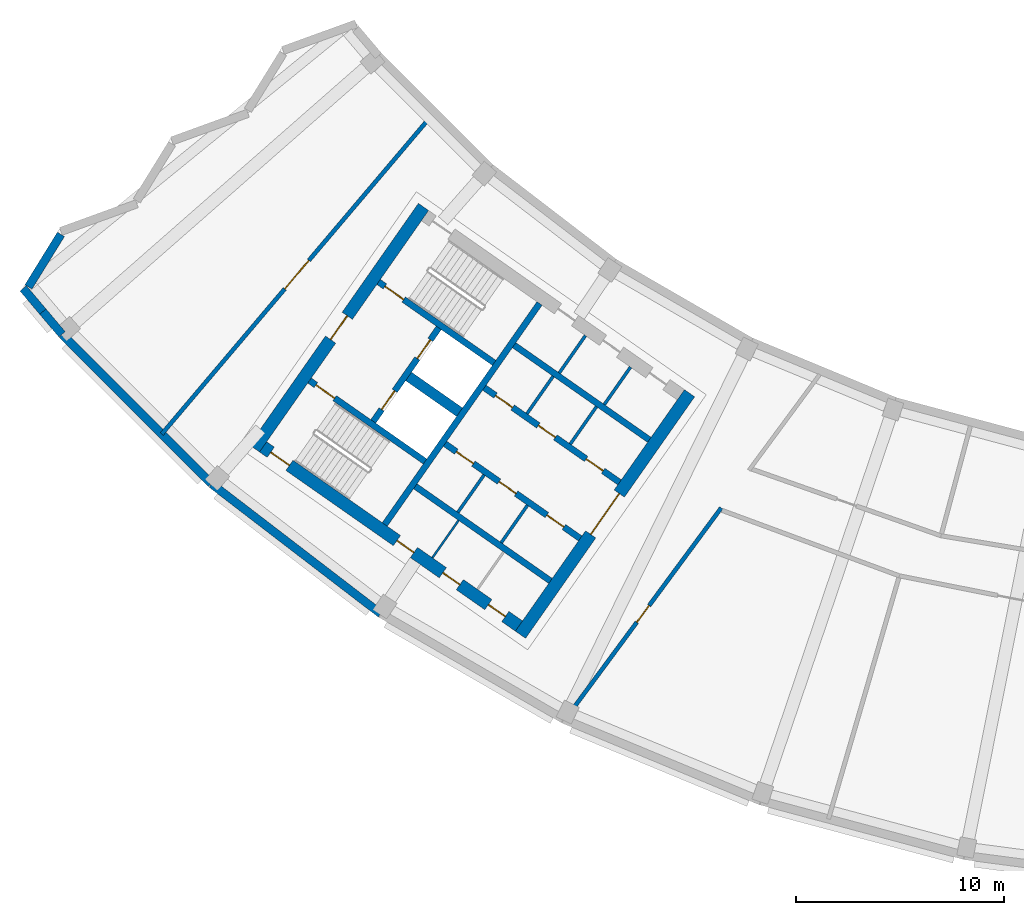
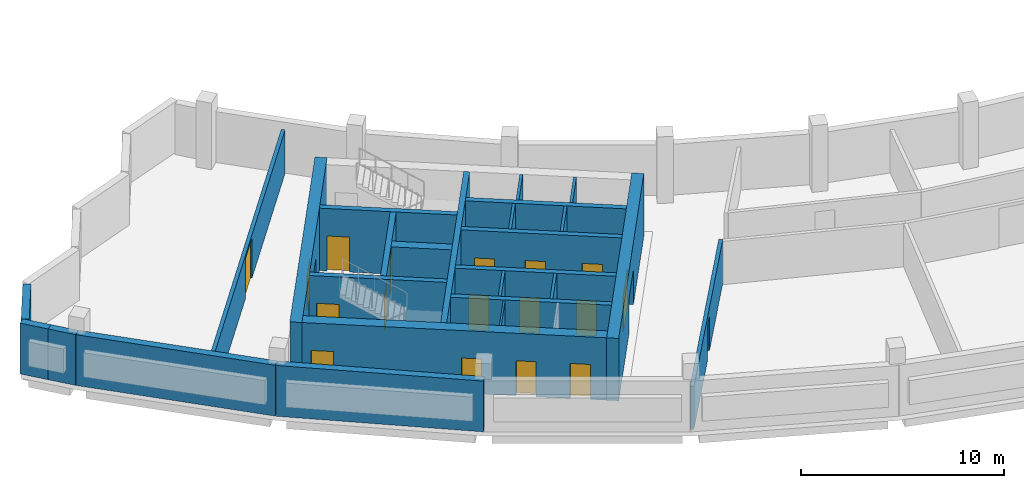
# One storey, part 3 of 11: 26 walls, 18 doors, 18 openings.
"""IFC4 building model written with IfcOpenShell, lengths in metres."""

from ifc_helpers import new_model, si_unit, direction, frame, frame_2d, origin, place, context, subcontext, project, spatial, rectangle, extrude, material, layer, layer_set, type_object, element, fill, save


model = new_model("IFC4")

# Units and contexts
model_context = context("Model", 3, precision=1e-05, world=origin(), true_north=direction((0.0, 1.0)))
body_context = subcontext(model_context, "Body", "Model", "MODEL_VIEW")
ifc_project = project(units=[si_unit("LENGTHUNIT", "METRE"), si_unit("AREAUNIT", "SQUARE_METRE"), si_unit("VOLUMEUNIT", "CUBIC_METRE"), si_unit("PLANEANGLEUNIT", "RADIAN"), si_unit("MASSUNIT", "GRAM", prefix="KILO")], contexts=[model_context])

# Site, building, storey
site_placement = place(None, origin())
site = spatial("IfcSite", under=ifc_project, at=site_placement, CompositionType="ELEMENT")
building_placement = place(site_placement, origin())
building = spatial("IfcBuilding", under=site, at=building_placement, Name="Qamariyya Broadcast Tower", CompositionType="ELEMENT")
storey_placement = place(building_placement, frame((0.0, 0.0, 310.699951171875)))
storey = spatial("IfcBuildingStorey", under=building, at=storey_placement, Name="L75", CompositionType="ELEMENT", Elevation=310.699951171875)

# Wall, opening, door
ifc_material_1 = material(Name="Concrete C60/75", Category="concrete")
ifc_layer_1 = layer(ifc_material_1, 0.60009765625)
ifc_layer_set_1 = layer_set([ifc_layer_1], Name="Core wall 600 mm Concrete C60/75")
wall_type_1 = type_object("IfcWallType", Name="Core wall 600 mm Concrete C60/75", PredefinedType="SHEAR", material=ifc_layer_set_1)
wall_1_placement = place(storey_placement, frame((-36.66748046875, -66.005126953125, 0.0), z_axis=(0.0, 0.0, 1.0), x_axis=(0.573568499524, 0.819157601658, 0.0)))
wall_1 = element("IfcWall", 1, at=wall_1_placement, inside=storey, type_object=wall_type_1, Name="k-W-L75-WA", PredefinedType="SHEAR", context=body_context, shape_type="SweptSolid", body=[
    extrude(rectangle(XDim=14.19970703125, YDim=0.60009765625, at=frame_2d((7.099853515625, 0.0))), origin(), (0.0, 0.0, 1.0), 3.75),
])
opening_1_placement = place(wall_1_placement, frame((5.89990234375, 0.0, 0.0)))
opening_1 = element("IfcOpeningElement", 2, at=opening_1_placement, cuts=wall_1, Name="Opening KD3-W1", PredefinedType="OPENING", context=body_context, shape_type="SweptSolid", body=[
    extrude(rectangle(XDim=2.39990234375, YDim=2.10009765625, at=frame_2d((1.199951171875, 1.050048828125))), frame((0.0, 0.31005859375, 0.0), z_axis=(0.0, -1.0, 0.0), x_axis=(1.0, 0.0, 0.0)), (0.0, 0.0, 1.0), 0.6201171875),
])
ifc_material_2 = material(Name="Steel fire-resisting door leaf", Category="steel")
door_type_1 = type_object("IfcDoorType", Name="Lift lobby door KD3", OperationType="DOUBLE_DOOR_SINGLE_SWING", PredefinedType="DOOR", material=ifc_material_2)
door_1_placement = place(opening_1_placement, origin())
door_1 = element("IfcDoor", 3, at=door_1_placement, inside=storey, type_object=door_type_1, Name="k-W-L75-WA-D1", OperationType="DOUBLE_DOOR_SINGLE_SWING", OverallHeight=2.10009765625, OverallWidth=2.39990234375, PredefinedType="DOOR", context=body_context, shape_type="SweptSolid", body=[
    extrude(rectangle(XDim=2.39990234375, YDim=2.10009765625, at=frame_2d((1.199951171875, 1.050048828125))), frame((0.0, 0.02490234375, 0.0), z_axis=(0.0, -1.0, 0.0), x_axis=(1.0, 0.0, 0.0)), (0.0, 0.0, 1.0), 0.050048828125),
])
fill(opening_1, door_1)

wall_2_placement = place(storey_placement, frame((-49.4833984375, -57.031494140625, 0.0), z_axis=(0.0, 0.0, 1.0), x_axis=(0.573560421458, 0.819163257805, 0.0)))
wall_2 = element("IfcWall", 4, at=wall_2_placement, inside=storey, type_object=wall_type_1, Name="k-W-L75-WH", PredefinedType="SHEAR", context=body_context, shape_type="SweptSolid", body=[
    extrude(rectangle(XDim=14.199951171875, YDim=0.60009765625, at=frame_2d((7.10009765625, 0.0))), origin(), (0.0, 0.0, 1.0), 3.75),
])
opening_2_placement = place(wall_2_placement, frame((6.39990234375, 0.0, 0.0)))
opening_2 = element("IfcOpeningElement", 5, at=opening_2_placement, cuts=wall_2, Name="Opening KD2-W1", PredefinedType="OPENING", context=body_context, shape_type="SweptSolid", body=[
    extrude(rectangle(XDim=1.39990234375, YDim=2.10009765625, at=frame_2d((0.699951171875, 1.050048828125))), frame((0.0, 0.31005859375, 0.0), z_axis=(0.0, -1.0, 0.0), x_axis=(1.0, 0.0, 0.0)), (0.0, 0.0, 1.0), 0.6201171875),
])
door_type_2 = type_object("IfcDoorType", Name="Fire-fighting lobby door KD2", OperationType="DOUBLE_DOOR_SINGLE_SWING", PredefinedType="DOOR", material=ifc_material_2)
door_2_placement = place(opening_2_placement, origin())
door_2 = element("IfcDoor", 6, at=door_2_placement, inside=storey, type_object=door_type_2, Name="k-W-L75-WH-D16", OperationType="DOUBLE_DOOR_SINGLE_SWING", OverallHeight=2.10009765625, OverallWidth=1.39990234375, PredefinedType="DOOR", context=body_context, shape_type="SweptSolid", body=[
    extrude(rectangle(XDim=1.39990234375, YDim=2.10009765625, at=frame_2d((0.699951171875, 1.050048828125))), frame((0.0, 0.02490234375, 0.0), z_axis=(0.0, -1.0, 0.0), x_axis=(1.0, 0.0, 0.0)), (0.0, 0.0, 1.0), 0.050048828125),
])
fill(opening_2, door_2)

# Wall, openings, doors
wall_3_placement = place(storey_placement, frame((-36.7412109375, -65.58740234375, 0.0), z_axis=(0.0, 0.0, 1.0), x_axis=(-0.819153391756, 0.573574511963, 0.0)))
wall_3 = element("IfcWall", 7, at=wall_3_placement, inside=storey, type_object=wall_type_1, Name="k-W-L75-WO", PredefinedType="SHEAR", context=body_context, shape_type="SweptSolid", body=[
    extrude(rectangle(XDim=15.04541015625, YDim=0.60009765625, at=frame_2d((7.522705078125, 0.0))), origin(), (0.0, 0.0, 1.0), 3.75),
])
opening_3_placement = place(wall_3_placement, frame((0.800048828125, 0.0, 0.0)))
opening_3 = element("IfcOpeningElement", 8, at=opening_3_placement, cuts=wall_3, Name="Opening KD4-W10", PredefinedType="OPENING", context=body_context, shape_type="SweptSolid", body=[
    extrude(rectangle(XDim=1.0, YDim=2.10009765625, at=frame_2d((0.5, 1.050048828125))), frame((0.0, 0.31005859375, 0.0), z_axis=(0.0, -1.0, 0.0), x_axis=(1.0, 0.0, 0.0)), (0.0, 0.0, 1.0), 0.6201171875),
])
opening_4_placement = place(wall_3_placement, frame((3.47509765625, 0.0, 0.0)))
opening_4 = element("IfcOpeningElement", 9, at=opening_4_placement, cuts=wall_3, Name="Opening KD4-W11", PredefinedType="OPENING", context=body_context, shape_type="SweptSolid", body=[
    extrude(rectangle(XDim=1.0, YDim=2.10009765625, at=frame_2d((0.5, 1.050048828125))), frame((0.0, 0.31005859375, 0.0), z_axis=(0.0, -1.0, 0.0), x_axis=(1.0, 0.0, 0.0)), (0.0, 0.0, 1.0), 0.6201171875),
])
opening_5_placement = place(wall_3_placement, frame((6.175048828125, 0.0, 0.0)))
opening_5 = element("IfcOpeningElement", 10, at=opening_5_placement, cuts=wall_3, Name="Opening KD4-W12", PredefinedType="OPENING", context=body_context, shape_type="SweptSolid", body=[
    extrude(rectangle(XDim=1.0, YDim=2.10009765625, at=frame_2d((0.5, 1.050048828125))), frame((0.0, 0.31005859375, 0.0), z_axis=(0.0, -1.0, 0.0), x_axis=(1.0, 0.0, 0.0)), (0.0, 0.0, 1.0), 0.6201171875),
])
opening_6_placement = place(wall_3_placement, frame((13.495361328125, 0.0, 0.0)))
opening_6 = element("IfcOpeningElement", 11, at=opening_6_placement, cuts=wall_3, Name="Opening KD1-W3", PredefinedType="OPENING", context=body_context, shape_type="SweptSolid", body=[
    extrude(rectangle(XDim=1.10009765625, YDim=2.10009765625, at=frame_2d((0.550048828125, 1.050048828125))), frame((0.0, 0.31005859375, 0.0), z_axis=(0.0, -1.0, 0.0), x_axis=(1.0, 0.0, 0.0)), (0.0, 0.0, 1.0), 0.6201171875),
])
door_type_3 = type_object("IfcDoorType", Name="Riser and plant door KD4", OperationType="SINGLE_SWING_LEFT", PredefinedType="DOOR", material=ifc_material_2)
door_3_placement = place(opening_3_placement, origin())
door_3 = element("IfcDoor", 12, at=door_3_placement, inside=storey, type_object=door_type_3, Name="k-W-L75-WO-D11", OperationType="SINGLE_SWING_RIGHT", OverallHeight=2.10009765625, OverallWidth=1.0, PredefinedType="DOOR", context=body_context, shape_type="SweptSolid", body=[
    extrude(rectangle(XDim=1.0, YDim=2.10009765625, at=frame_2d((0.5, 1.050048828125))), frame((0.0, 0.02490234375, 0.0), z_axis=(0.0, -1.0, 0.0), x_axis=(1.0, 0.0, 0.0)), (0.0, 0.0, 1.0), 0.050048828125),
])
fill(opening_3, door_3)
door_4_placement = place(opening_4_placement, origin())
door_4 = element("IfcDoor", 13, at=door_4_placement, inside=storey, type_object=door_type_3, Name="k-W-L75-WO-D12", OperationType="SINGLE_SWING_LEFT", OverallHeight=2.10009765625, OverallWidth=1.0, PredefinedType="DOOR", context=body_context, shape_type="SweptSolid", body=[
    extrude(rectangle(XDim=1.0, YDim=2.10009765625, at=frame_2d((0.5, 1.050048828125))), frame((0.0, 0.02490234375, 0.0), z_axis=(0.0, -1.0, 0.0), x_axis=(1.0, 0.0, 0.0)), (0.0, 0.0, 1.0), 0.050048828125),
])
fill(opening_4, door_4)
door_5_placement = place(opening_5_placement, origin())
door_5 = element("IfcDoor", 14, at=door_5_placement, inside=storey, type_object=door_type_3, Name="k-W-L75-WO-D13", OperationType="SINGLE_SWING_RIGHT", OverallHeight=2.10009765625, OverallWidth=1.0, PredefinedType="DOOR", context=body_context, shape_type="SweptSolid", body=[
    extrude(rectangle(XDim=1.0, YDim=2.10009765625, at=frame_2d((0.5, 1.050048828125))), frame((0.0, 0.02490234375, 0.0), z_axis=(0.0, -1.0, 0.0), x_axis=(1.0, 0.0, 0.0)), (0.0, 0.0, 1.0), 0.050048828125),
])
fill(opening_5, door_5)
door_type_4 = type_object("IfcDoorType", Name="Stair door KD1", OperationType="SINGLE_SWING_LEFT", PredefinedType="DOOR", material=ifc_material_2)
door_6_placement = place(opening_6_placement, origin())
door_6 = element("IfcDoor", 15, at=door_6_placement, inside=storey, type_object=door_type_4, Name="k-W-L75-WO-D19", OperationType="SINGLE_SWING_LEFT", OverallHeight=2.10009765625, OverallWidth=1.10009765625, PredefinedType="DOOR", context=body_context, shape_type="SweptSolid", body=[
    extrude(rectangle(XDim=1.10009765625, YDim=2.10009765625, at=frame_2d((0.550048828125, 1.050048828125))), frame((0.0, 0.02490234375, 0.0), z_axis=(0.0, -1.0, 0.0), x_axis=(1.0, 0.0, 0.0)), (0.0, 0.0, 1.0), 0.050048828125),
])
fill(opening_6, door_6)

# Walls
ifc_layer_2 = layer(ifc_material_1, 0.5)
ifc_layer_set_2 = layer_set([ifc_layer_2], Name="Fire-fighting lobby divider wall 500 mm Concrete C60/75")
wall_type_2 = type_object("IfcWallType", Name="Fire-fighting lobby divider wall 500 mm Concrete C60/75", PredefinedType="SOLIDWALL", material=ifc_layer_set_2)
wall_4_placement = place(storey_placement, frame((-39.59912109375, -55.28515625, 0.0), z_axis=(0.0, 0.0, 1.0), x_axis=(-0.819136323161, 0.573598887793, 0.0)))
element("IfcWall", 16, at=wall_4_placement, inside=storey, type_object=wall_type_2, Name="k-W-L75-FD", PredefinedType="SOLIDWALL", context=body_context, shape_type="SweptSolid", body=[
    extrude(rectangle(XDim=2.999755859375, YDim=0.5, at=frame_2d((1.5, 0.0))), origin(), (0.0, 0.0, 1.0), 3.75),
])
ifc_material_3 = material(Name="Gypsum board partition on steel studs", Category="steel")
ifc_layer_3 = layer(ifc_material_3, 0.14990234375)
ifc_layer_set_3 = layer_set([ifc_layer_3], Name="Gypsum board partition 150 mm")
wall_type_3 = type_object("IfcWallType", Name="Gypsum board partition 150 mm", PredefinedType="PARTITIONING", material=ifc_layer_set_3)
for number, where, z_axis, x_axis, name in (
    (17, (-34.26611328125, -56.822021484375, 0.0), (0.0, 0.0, 1.0), (0.573581496053, 0.819148501424, 0.0), "k-W-L75-NC300"),
    (18, (-36.35498046875, -55.359375, 0.0), (0.0, 0.0, 1.0), (0.573581496053, 0.819148501424, 0.0), "k-W-L75-NC555"),
):
    element("IfcWall", number, at=place(storey_placement, frame(where, z_axis=z_axis, x_axis=x_axis)), inside=storey, type_object=wall_type_3, Name=name, PredefinedType="PARTITIONING", context=body_context, shape_type="SweptSolid", body=[
        extrude(rectangle(XDim=2.2001953125, YDim=0.14990234375, at=frame_2d((1.10009765625, 0.0))), origin(), (0.0, 0.0, 1.0), 3.75),
    ])
for number, where, z_axis, x_axis, name in (
    (19, (-36.330810546875, -59.77099609375, 0.0), (0.0, 0.0, 1.0), (-0.573633636671, -0.819111989218, 0.0), "k-W-L75-SC300"),
    (20, (-38.419677734375, -58.308349609375, 0.0), (0.0, 0.0, 1.0), (-0.573633636671, -0.819111989218, 0.0), "k-W-L75-SC555"),
    (21, (-32.627197265625, -54.91748046875, 0.0), (0.0, 0.0, 1.0), (0.573507030513, 0.819200638399, 0.0), "k-W-L75-NP275"),
    (22, (-34.798095703125, -53.3974609375, 0.0), (0.0, 0.0, 1.0), (0.573633636671, 0.819111989218, 0.0), "k-W-L75-NP540"),
):
    element("IfcWall", number, at=place(storey_placement, frame(where, z_axis=z_axis, x_axis=x_axis)), inside=storey, type_object=wall_type_3, Name=name, PredefinedType="PARTITIONING", context=body_context, shape_type="SweptSolid", body=[
        extrude(rectangle(XDim=2.199951171875, YDim=0.14990234375, at=frame_2d((1.10009765625, 0.0))), origin(), (0.0, 0.0, 1.0), 3.75),
    ])
ifc_layer_4 = layer(ifc_material_1, 0.300048828125)
ifc_layer_set_4 = layer_set([ifc_layer_4], Name="Lift shaft wall 300 mm Concrete C60/75")
wall_type_4 = type_object("IfcWallType", Name="Lift shaft wall 300 mm Concrete C60/75", PredefinedType="SOLIDWALL", material=ifc_layer_set_4)
wall_5_placement = place(storey_placement, frame((-43.204345703125, -60.69580078125, 0.0), z_axis=(0.0, 0.0, 1.0), x_axis=(0.573571992966, 0.819155155563, 0.0)))
element("IfcWall", 23, at=wall_5_placement, inside=storey, type_object=wall_type_4, Name="k-W-L75-WL", PredefinedType="SOLIDWALL", context=body_context, shape_type="SweptSolid", body=[
    extrude(rectangle(XDim=13.000244140625, YDim=0.300048828125, at=frame_2d((6.5, 0.0))), origin(), (0.0, 0.0, 1.0), 3.75),
])

# Wall, openings, doors
wall_6_placement = place(storey_placement, frame((-31.89453125, -58.66552734375, 0.0), z_axis=(0.0, 0.0, 1.0), x_axis=(-0.819166993208, 0.573555086491, 0.0)))
wall_6 = element("IfcWall", 24, at=wall_6_placement, inside=storey, type_object=wall_type_4, Name="k-W-L75-NF0", PredefinedType="SOLIDWALL", context=body_context, shape_type="SweptSolid", body=[
    extrude(rectangle(XDim=7.9501953125, YDim=0.300048828125, at=frame_2d((3.97509765625, 0.0))), origin(), (0.0, 0.0, 1.0), 3.75),
])
opening_7_placement = place(wall_6_placement, frame((0.96240234375, 0.0, 0.0)))
opening_7 = element("IfcOpeningElement", 25, at=opening_7_placement, cuts=wall_6, Name="Opening KD4-W1", PredefinedType="OPENING", context=body_context, shape_type="SweptSolid", body=[
    extrude(rectangle(XDim=1.0, YDim=2.10009765625, at=frame_2d((0.5, 1.050048828125))), frame((0.0, 0.159912109375, 0.0), z_axis=(0.0, -1.0, 0.0), x_axis=(1.0, 0.0, 0.0)), (0.0, 0.0, 1.0), 0.320068359375),
])
opening_8_placement = place(wall_6_placement, frame((3.77490234375, 0.0, 0.0)))
opening_8 = element("IfcOpeningElement", 26, at=opening_8_placement, cuts=wall_6, Name="Opening KD4-W2", PredefinedType="OPENING", context=body_context, shape_type="SweptSolid", body=[
    extrude(rectangle(XDim=1.0, YDim=2.10009765625, at=frame_2d((0.5, 1.050048828125))), frame((0.0, 0.159912109375, 0.0), z_axis=(0.0, -1.0, 0.0), x_axis=(1.0, 0.0, 0.0)), (0.0, 0.0, 1.0), 0.320068359375),
])
opening_9_placement = place(wall_6_placement, frame((6.28759765625, 0.0, 0.0)))
opening_9 = element("IfcOpeningElement", 27, at=opening_9_placement, cuts=wall_6, Name="Opening KD4-W3", PredefinedType="OPENING", context=body_context, shape_type="SweptSolid", body=[
    extrude(rectangle(XDim=1.0, YDim=2.10009765625, at=frame_2d((0.5, 1.050048828125))), frame((0.0, 0.159912109375, 0.0), z_axis=(0.0, -1.0, 0.0), x_axis=(1.0, 0.0, 0.0)), (0.0, 0.0, 1.0), 0.320068359375),
])
door_7_placement = place(opening_7_placement, origin())
door_7 = element("IfcDoor", 28, at=door_7_placement, inside=storey, type_object=door_type_3, Name="k-W-L75-NF0-D2", OperationType="SINGLE_SWING_LEFT", OverallHeight=2.10009765625, OverallWidth=1.0, PredefinedType="DOOR", context=body_context, shape_type="SweptSolid", body=[
    extrude(rectangle(XDim=1.0, YDim=2.10009765625, at=frame_2d((0.5, 1.050048828125))), frame((0.0, 0.02490234375, 0.0), z_axis=(0.0, -1.0, 0.0), x_axis=(1.0, 0.0, 0.0)), (0.0, 0.0, 1.0), 0.050048828125),
])
fill(opening_7, door_7)
door_8_placement = place(opening_8_placement, origin())
door_8 = element("IfcDoor", 29, at=door_8_placement, inside=storey, type_object=door_type_3, Name="k-W-L75-NF0-D3", OperationType="SINGLE_SWING_RIGHT", OverallHeight=2.10009765625, OverallWidth=1.0, PredefinedType="DOOR", context=body_context, shape_type="SweptSolid", body=[
    extrude(rectangle(XDim=1.0, YDim=2.10009765625, at=frame_2d((0.5, 1.050048828125))), frame((0.0, 0.02490234375, 0.0), z_axis=(0.0, -1.0, 0.0), x_axis=(1.0, 0.0, 0.0)), (0.0, 0.0, 1.0), 0.050048828125),
])
fill(opening_8, door_8)
door_9_placement = place(opening_9_placement, origin())
door_9 = element("IfcDoor", 30, at=door_9_placement, inside=storey, type_object=door_type_3, Name="k-W-L75-NF0-D4", OperationType="SINGLE_SWING_LEFT", OverallHeight=2.10009765625, OverallWidth=1.0, PredefinedType="DOOR", context=body_context, shape_type="SweptSolid", body=[
    extrude(rectangle(XDim=1.0, YDim=2.10009765625, at=frame_2d((0.5, 1.050048828125))), frame((0.0, 0.02490234375, 0.0), z_axis=(0.0, -1.0, 0.0), x_axis=(1.0, 0.0, 0.0)), (0.0, 0.0, 1.0), 0.050048828125),
])
fill(opening_9, door_9)

# Wall
wall_7_placement = place(storey_placement, frame((-30.460693359375, -56.61767578125, 0.0), z_axis=(0.0, 0.0, 1.0), x_axis=(-0.819142461705, 0.573590121456, 0.0)))
element("IfcWall", 31, at=wall_7_placement, inside=storey, type_object=wall_type_4, Name="k-W-L75-NB0", PredefinedType="SOLIDWALL", context=body_context, shape_type="SweptSolid", body=[
    extrude(rectangle(XDim=7.949951171875, YDim=0.300048828125, at=frame_2d((3.97509765625, 0.0))), origin(), (0.0, 0.0, 1.0), 3.75),
])

# Wall, openings, doors
wall_8_placement = place(storey_placement, frame((-33.787353515625, -61.368896484375, 0.0), z_axis=(0.0, 0.0, 1.0), x_axis=(-0.819152564888, 0.573575692858, 0.0)))
wall_8 = element("IfcWall", 32, at=wall_8_placement, inside=storey, type_object=wall_type_4, Name="k-W-L75-SF0", PredefinedType="SOLIDWALL", context=body_context, shape_type="SweptSolid", body=[
    extrude(rectangle(XDim=7.9501953125, YDim=0.300048828125, at=frame_2d((3.97509765625, 0.0))), origin(), (0.0, 0.0, 1.0), 3.75),
])
opening_10_placement = place(wall_8_placement, frame((0.96240234375, 0.0, 0.0)))
opening_10 = element("IfcOpeningElement", 33, at=opening_10_placement, cuts=wall_8, Name="Opening KD4-W4", PredefinedType="OPENING", context=body_context, shape_type="SweptSolid", body=[
    extrude(rectangle(XDim=1.0, YDim=2.10009765625, at=frame_2d((0.5, 1.050048828125))), frame((0.0, 0.159912109375, 0.0), z_axis=(0.0, -1.0, 0.0), x_axis=(1.0, 0.0, 0.0)), (0.0, 0.0, 1.0), 0.320068359375),
])
opening_11_placement = place(wall_8_placement, frame((3.77490234375, 0.0, 0.0)))
opening_11 = element("IfcOpeningElement", 34, at=opening_11_placement, cuts=wall_8, Name="Opening KD4-W5", PredefinedType="OPENING", context=body_context, shape_type="SweptSolid", body=[
    extrude(rectangle(XDim=1.0, YDim=2.10009765625, at=frame_2d((0.5, 1.050048828125))), frame((0.0, 0.159912109375, 0.0), z_axis=(0.0, -1.0, 0.0), x_axis=(1.0, 0.0, 0.0)), (0.0, 0.0, 1.0), 0.320068359375),
])
opening_12_placement = place(wall_8_placement, frame((6.28759765625, 0.0, 0.0)))
opening_12 = element("IfcOpeningElement", 35, at=opening_12_placement, cuts=wall_8, Name="Opening KD4-W6", PredefinedType="OPENING", context=body_context, shape_type="SweptSolid", body=[
    extrude(rectangle(XDim=1.0, YDim=2.10009765625, at=frame_2d((0.5, 1.050048828125))), frame((0.0, 0.159912109375, 0.0), z_axis=(0.0, -1.0, 0.0), x_axis=(1.0, 0.0, 0.0)), (0.0, 0.0, 1.0), 0.320068359375),
])
door_10_placement = place(opening_10_placement, origin())
door_10 = element("IfcDoor", 36, at=door_10_placement, inside=storey, type_object=door_type_3, Name="k-W-L75-SF0-D5", OperationType="SINGLE_SWING_RIGHT", OverallHeight=2.10009765625, OverallWidth=1.0, PredefinedType="DOOR", context=body_context, shape_type="SweptSolid", body=[
    extrude(rectangle(XDim=1.0, YDim=2.10009765625, at=frame_2d((0.5, 1.050048828125))), frame((0.0, 0.02490234375, 0.0), z_axis=(0.0, -1.0, 0.0), x_axis=(1.0, 0.0, 0.0)), (0.0, 0.0, 1.0), 0.050048828125),
])
fill(opening_10, door_10)
door_11_placement = place(opening_11_placement, origin())
door_11 = element("IfcDoor", 37, at=door_11_placement, inside=storey, type_object=door_type_3, Name="k-W-L75-SF0-D6", OperationType="SINGLE_SWING_LEFT", OverallHeight=2.10009765625, OverallWidth=1.0, PredefinedType="DOOR", context=body_context, shape_type="SweptSolid", body=[
    extrude(rectangle(XDim=1.0, YDim=2.10009765625, at=frame_2d((0.5, 1.050048828125))), frame((0.0, 0.02490234375, 0.0), z_axis=(0.0, -1.0, 0.0), x_axis=(1.0, 0.0, 0.0)), (0.0, 0.0, 1.0), 0.050048828125),
])
fill(opening_11, door_11)
door_12_placement = place(opening_12_placement, origin())
door_12 = element("IfcDoor", 38, at=door_12_placement, inside=storey, type_object=door_type_3, Name="k-W-L75-SF0-D7", OperationType="SINGLE_SWING_RIGHT", OverallHeight=2.10009765625, OverallWidth=1.0, PredefinedType="DOOR", context=body_context, shape_type="SweptSolid", body=[
    extrude(rectangle(XDim=1.0, YDim=2.10009765625, at=frame_2d((0.5, 1.050048828125))), frame((0.0, 0.02490234375, 0.0), z_axis=(0.0, -1.0, 0.0), x_axis=(1.0, 0.0, 0.0)), (0.0, 0.0, 1.0), 0.050048828125),
])
fill(opening_12, door_12)

# Wall
wall_9_placement = place(storey_placement, frame((-35.22119140625, -63.41650390625, 0.0), z_axis=(0.0, 0.0, 1.0), x_axis=(-0.819166993208, 0.573555086491, 0.0)))
element("IfcWall", 39, at=wall_9_placement, inside=storey, type_object=wall_type_4, Name="k-W-L75-SB0", PredefinedType="SOLIDWALL", context=body_context, shape_type="SweptSolid", body=[
    extrude(rectangle(XDim=7.9501953125, YDim=0.300048828125, at=frame_2d((3.97509765625, 0.0))), origin(), (0.0, 0.0, 1.0), 3.75),
])

# Wall, opening, door
wall_10_placement = place(storey_placement, frame((-37.935546875, -52.90966796875, 0.0), z_axis=(0.0, 0.0, 1.0), x_axis=(-0.819147518138, 0.57358290031, 0.0)))
wall_10 = element("IfcWall", 40, at=wall_10_placement, inside=storey, type_object=wall_type_4, Name="k-W-L75-NW", PredefinedType="SOLIDWALL", context=body_context, shape_type="SweptSolid", body=[
    extrude(rectangle(XDim=6.79541015625, YDim=0.300048828125, at=frame_2d((3.397705078125, 0.0))), origin(), (0.0, 0.0, 1.0), 3.75),
])
opening_13_placement = place(wall_10_placement, frame((5.3203125, 0.0, 0.0)))
opening_13 = element("IfcOpeningElement", 41, at=opening_13_placement, cuts=wall_10, Name="Opening KD1-W2", PredefinedType="OPENING", context=body_context, shape_type="SweptSolid", body=[
    extrude(rectangle(XDim=1.10009765625, YDim=2.10009765625, at=frame_2d((0.550048828125, 1.050048828125))), frame((0.0, 0.159912109375, 0.0), z_axis=(0.0, -1.0, 0.0), x_axis=(1.0, 0.0, 0.0)), (0.0, 0.0, 1.0), 0.320068359375),
])
door_13_placement = place(opening_13_placement, origin())
door_13 = element("IfcDoor", 42, at=door_13_placement, inside=storey, type_object=door_type_4, Name="k-W-L75-NW-D18", OperationType="SINGLE_SWING_LEFT", OverallHeight=2.10009765625, OverallWidth=1.10009765625, PredefinedType="DOOR", context=body_context, shape_type="SweptSolid", body=[
    extrude(rectangle(XDim=1.10009765625, YDim=2.10009765625, at=frame_2d((0.550048828125, 1.050048828125))), frame((0.0, 0.02490234375, 0.0), z_axis=(0.0, -1.0, 0.0), x_axis=(1.0, 0.0, 0.0)), (0.0, 0.0, 1.0), 0.050048828125),
])
fill(opening_13, door_13)

wall_11_placement = place(storey_placement, frame((-41.262451171875, -57.66064453125, 0.0), z_axis=(0.0, 0.0, 1.0), x_axis=(-0.819164398642, 0.573558792102, 0.0)))
wall_11 = element("IfcWall", 43, at=wall_11_placement, inside=storey, type_object=wall_type_4, Name="k-W-L75-SW", PredefinedType="SOLIDWALL", context=body_context, shape_type="SweptSolid", body=[
    extrude(rectangle(XDim=6.795166015625, YDim=0.300048828125, at=frame_2d((3.3974609375, 0.0))), origin(), (0.0, 0.0, 1.0), 3.75),
])
opening_14_placement = place(wall_11_placement, frame((5.3203125, 0.0, 0.0)))
opening_14 = element("IfcOpeningElement", 44, at=opening_14_placement, cuts=wall_11, Name="Opening KD1-W4", PredefinedType="OPENING", context=body_context, shape_type="SweptSolid", body=[
    extrude(rectangle(XDim=1.10009765625, YDim=2.10009765625, at=frame_2d((0.550048828125, 1.050048828125))), frame((0.0, 0.159912109375, 0.0), z_axis=(0.0, -1.0, 0.0), x_axis=(1.0, 0.0, 0.0)), (0.0, 0.0, 1.0), 0.320068359375),
])
door_14_placement = place(opening_14_placement, origin())
door_14 = element("IfcDoor", 45, at=door_14_placement, inside=storey, type_object=door_type_4, Name="k-W-L75-SW-D20", OperationType="SINGLE_SWING_LEFT", OverallHeight=2.10009765625, OverallWidth=1.10009765625, PredefinedType="DOOR", context=body_context, shape_type="SweptSolid", body=[
    extrude(rectangle(XDim=1.10009765625, YDim=2.10009765625, at=frame_2d((0.550048828125, 1.050048828125))), frame((0.0, 0.02490234375, 0.0), z_axis=(0.0, -1.0, 0.0), x_axis=(1.0, 0.0, 0.0)), (0.0, 0.0, 1.0), 0.050048828125),
])
fill(opening_14, door_14)

# Wall, openings, doors
wall_12_placement = place(storey_placement, frame((-43.756591796875, -55.731201171875, 0.0), z_axis=(0.0, 0.0, 1.0), x_axis=(0.573536818435, 0.819179783625, 0.0)))
wall_12 = element("IfcWall", 46, at=wall_12_placement, inside=storey, type_object=wall_type_4, Name="k-W-L75-FF", PredefinedType="SOLIDWALL", context=body_context, shape_type="SweptSolid", body=[
    extrude(rectangle(XDim=5.500244140625, YDim=0.300048828125, at=frame_2d((2.75, 0.0))), origin(), (0.0, 0.0, 1.0), 3.75),
])
opening_15_placement = place(wall_12_placement, frame((0.699951171875, 0.0, 0.0)))
opening_15 = element("IfcOpeningElement", 47, at=opening_15_placement, cuts=wall_12, Name="Opening LD", PredefinedType="OPENING", context=body_context, shape_type="SweptSolid", body=[
    extrude(rectangle(XDim=1.10009765625, YDim=2.10009765625, at=frame_2d((0.550048828125, 1.050048828125))), frame((0.0, 0.159912109375, 0.0), z_axis=(0.0, -1.0, 0.0), x_axis=(1.0, 0.0, 0.0)), (0.0, 0.0, 1.0), 0.320068359375),
])
opening_16_placement = place(wall_12_placement, frame((3.699951171875, 0.0, 0.0)))
opening_16 = element("IfcOpeningElement", 48, at=opening_16_placement, cuts=wall_12, Name="Opening LD", PredefinedType="OPENING", context=body_context, shape_type="SweptSolid", body=[
    extrude(rectangle(XDim=1.10009765625, YDim=2.10009765625, at=frame_2d((0.550048828125, 1.050048828125))), frame((0.0, 0.159912109375, 0.0), z_axis=(0.0, -1.0, 0.0), x_axis=(1.0, 0.0, 0.0)), (0.0, 0.0, 1.0), 0.320068359375),
])
door_type_5 = type_object("IfcDoorType", Name="Lift landing door LD", OperationType="DOUBLE_DOOR_SLIDING", PredefinedType="DOOR", material=ifc_material_2)
door_15_placement = place(opening_15_placement, origin())
door_15 = element("IfcDoor", 49, at=door_15_placement, inside=storey, type_object=door_type_5, Name="k-W-L75-FF-D14", OperationType="DOUBLE_DOOR_SLIDING", OverallHeight=2.10009765625, OverallWidth=1.10009765625, PredefinedType="DOOR", context=body_context, shape_type="SweptSolid", body=[
    extrude(rectangle(XDim=1.10009765625, YDim=2.10009765625, at=frame_2d((0.550048828125, 1.050048828125))), frame((0.0, 0.02490234375, 0.0), z_axis=(0.0, -1.0, 0.0), x_axis=(1.0, 0.0, 0.0)), (0.0, 0.0, 1.0), 0.050048828125),
])
fill(opening_15, door_15)
door_16_placement = place(opening_16_placement, origin())
door_16 = element("IfcDoor", 50, at=door_16_placement, inside=storey, type_object=door_type_5, Name="k-W-L75-FF-D15", OperationType="DOUBLE_DOOR_SLIDING", OverallHeight=2.10009765625, OverallWidth=1.10009765625, PredefinedType="DOOR", context=body_context, shape_type="SweptSolid", body=[
    extrude(rectangle(XDim=1.10009765625, YDim=2.10009765625, at=frame_2d((0.550048828125, 1.050048828125))), frame((0.0, 0.02490234375, 0.0), z_axis=(0.0, -1.0, 0.0), x_axis=(1.0, 0.0, 0.0)), (0.0, 0.0, 1.0), 0.050048828125),
])
fill(opening_16, door_16)

# Wall, opening, door
ifc_material_4 = material(Name="Masonry block wall", Category="masonry")
ifc_layer_5 = layer(ifc_material_4, 0.199951171875)
ifc_layer_set_5 = layer_set([ifc_layer_5], Name="Plant room wall 200 EI 120")
wall_type_5 = type_object("IfcWallType", Name="Plant room wall 200 EI 120", PredefinedType="PARTITIONING", material=ifc_layer_set_5)
wall_13_placement = place(storey_placement, frame((-53.946044921875, -56.33837890625, 0.0), z_axis=(0.0, 0.0, 1.0), x_axis=(0.646426079671, 0.76297662056, 0.0)))
wall_13 = element("IfcWall", 51, at=wall_13_placement, inside=storey, type_object=wall_type_5, Name="Partition L75-001", PredefinedType="PARTITIONING", context=body_context, shape_type="SweptSolid", body=[
    extrude(rectangle(XDim=20.1259765625, YDim=0.199951171875, at=frame_2d((10.06298828125, 0.0))), origin(), (0.0, 0.0, 1.0), 2.60009765625),
])
opening_17_placement = place(wall_13_placement, frame((9.1630859375, 0.0, 0.0)))
opening_17 = element("IfcOpeningElement", 52, at=opening_17_placement, cuts=wall_13, Name="Opening L75-D11", PredefinedType="OPENING", context=body_context, shape_type="SweptSolid", body=[
    extrude(rectangle(XDim=1.800048828125, YDim=2.39990234375, at=frame_2d((0.89990234375, 1.199951171875))), frame((0.0, 0.10986328125, 0.0), z_axis=(0.0, -1.0, 0.0), x_axis=(1.0, 0.0, 0.0)), (0.0, 0.0, 1.0), 0.219970703125),
])
ifc_material_5 = material(Name="Insulated metal door leaf")
door_type_6 = type_object("IfcDoorType", Name="Plant double door 1800 x 2400 FD120", OperationType="NOTDEFINED", PredefinedType="DOOR", material=ifc_material_5)
door_17_placement = place(opening_17_placement, origin())
door_17 = element("IfcDoor", 53, at=door_17_placement, inside=storey, type_object=door_type_6, Name="Door L75-D11", OperationType="DOUBLE_DOOR_SINGLE_SWING", OverallHeight=2.39990234375, OverallWidth=1.800048828125, PredefinedType="DOOR", context=body_context, shape_type="SweptSolid", body=[
    extrude(rectangle(XDim=1.800048828125, YDim=2.39990234375, at=frame_2d((0.89990234375, 1.199951171875))), frame((0.0, 0.02490234375, 0.0), z_axis=(0.0, -1.0, 0.0), x_axis=(1.0, 0.0, 0.0)), (0.0, 0.0, 1.0), 0.050048828125),
])
fill(opening_17, door_17)

wall_14_placement = place(storey_placement, frame((-26.998046875, -59.89892578125, 0.0), z_axis=(0.0, 0.0, 1.0), x_axis=(-0.593866233023, -0.804563793167, 0.0)))
wall_14 = element("IfcWall", 54, at=wall_14_placement, inside=storey, type_object=wall_type_5, Name="Partition L75-002", PredefinedType="PARTITIONING", context=body_context, shape_type="SweptSolid", body=[
    extrude(rectangle(XDim=12.6904296875, YDim=0.199951171875, at=frame_2d((6.34521484375, 0.0))), origin(), (0.0, 0.0, 1.0), 2.60009765625),
])
opening_18_placement = place(wall_14_placement, frame((5.84521484375, 0.0, 0.0)))
opening_18 = element("IfcOpeningElement", 55, at=opening_18_placement, cuts=wall_14, Name="Opening L75-D01", PredefinedType="OPENING", context=body_context, shape_type="SweptSolid", body=[
    extrude(rectangle(XDim=1.0, YDim=2.10009765625, at=frame_2d((0.5, 1.050048828125))), frame((0.0, 0.10986328125, 0.0), z_axis=(0.0, -1.0, 0.0), x_axis=(1.0, 0.0, 0.0)), (0.0, 0.0, 1.0), 0.219970703125),
])
door_type_7 = type_object("IfcDoorType", Name="Plant door 1000 x 2100 FD120", OperationType="NOTDEFINED", PredefinedType="DOOR", material=ifc_material_5)
door_18_placement = place(opening_18_placement, origin())
door_18 = element("IfcDoor", 56, at=door_18_placement, inside=storey, type_object=door_type_7, Name="Door L75-D01", OperationType="SINGLE_SWING_RIGHT", OverallHeight=2.10009765625, OverallWidth=1.0, PredefinedType="DOOR", context=body_context, shape_type="SweptSolid", body=[
    extrude(rectangle(XDim=1.0, YDim=2.10009765625, at=frame_2d((0.5, 1.050048828125))), frame((0.0, 0.02490234375, 0.0), z_axis=(0.0, -1.0, 0.0), x_axis=(1.0, 0.0, 0.0)), (0.0, 0.0, 1.0), 0.050048828125),
])
fill(opening_18, door_18)

# Walls
ifc_material_6 = material(Name="Fire-rated gypsum shaft liner on steel studs", Category="steel")
ifc_layer_6 = layer(ifc_material_6, 0.10009765625)
ifc_layer_set_6 = layer_set([ifc_layer_6], Name="Riser wall 100 mm")
wall_type_6 = type_object("IfcWallType", Name="Riser wall 100 mm", PredefinedType="PLUMBINGWALL", material=ifc_layer_set_6)
wall_15_placement = place(storey_placement, frame((-39.64892578125, -60.49951171875, 0.0), z_axis=(0.0, 0.0, 1.0), x_axis=(-0.573507030513, -0.819200638399, 0.0)))
element("IfcWall", 57, at=wall_15_placement, inside=storey, type_object=wall_type_6, Name="k-W-L75-SP530", PredefinedType="PLUMBINGWALL", context=body_context, shape_type="SweptSolid", body=[
    extrude(rectangle(XDim=2.199951171875, YDim=0.10009765625, at=frame_2d((1.10009765625, 0.0))), origin(), (0.0, 0.0, 1.0), 3.75),
])
ifc_material_7 = material(Name="Terracotta", Category="masonry")
ifc_layer_7 = layer(ifc_material_7, 0.39990234375)
ifc_layer_set_7 = layer_set([ifc_layer_7], Name="Solid terracotta louvred band wall 400")
wall_type_7 = type_object("IfcWallType", Name="Solid terracotta louvred band wall 400", PredefinedType="SOLIDWALL", material=ifc_layer_set_7)
wall_16_placement = place(storey_placement, frame((-58.805419921875, -46.720458984375, 0.0), z_axis=(0.0, 0.0, 1.0), x_axis=(-0.525538284274, -0.850769952315, 0.0)))
element("IfcWall", 58, at=wall_16_placement, inside=storey, type_object=wall_type_7, Name="e-wl-L75-capW5", PredefinedType="SOLIDWALL", context=body_context, shape_type="SweptSolid", body=[
    extrude(rectangle(XDim=2.976318359375, YDim=0.39990234375, at=frame_2d((1.48828125, 0.0))), origin(), (0.0, 0.0, 1.0), 3.050048828125),
])
wall_17_placement = place(storey_placement, frame((-60.623046875, -49.3193359375, 0.0), z_axis=(0.0, 0.0, 1.0), x_axis=(0.645510358639, -0.763751515148, 0.0)))
element("IfcWall", 59, at=wall_17_placement, inside=storey, type_object=wall_type_7, Name="e-wl-L75-out00", PredefinedType="SOLIDWALL", context=body_context, shape_type="SweptSolid", body=[
    extrude(rectangle(XDim=1.47021484375, YDim=0.39990234375, at=frame_2d((0.735107421875, 0.0))), origin(), (0.0, 0.0, 1.0), 3.050048828125),
])
wall_18_placement = place(storey_placement, frame((-59.674072265625, -50.442138671875, 0.0), z_axis=(0.0, 0.0, 1.0), x_axis=(0.645651771062, -0.763631973221, 0.0)))
element("IfcWall", 60, at=wall_18_placement, inside=storey, type_object=wall_type_7, Name="e-wl-L75-out01", PredefinedType="SOLIDWALL", context=body_context, shape_type="SweptSolid", body=[
    extrude(rectangle(XDim=1.431884765625, YDim=0.39990234375, at=frame_2d((0.7158203125, 0.0))), origin(), (0.0, 0.0, 1.0), 3.050048828125),
])
wall_19_placement = place(storey_placement, frame((-58.737060546875, -51.546630859375, 0.0), z_axis=(0.0, 0.0, 1.0), x_axis=(0.707118813872, -0.707094748296, 0.0)))
element("IfcWall", 61, at=wall_19_placement, inside=storey, type_object=wall_type_7, Name="e-wl-L75-out10", PredefinedType="SOLIDWALL", context=body_context, shape_type="SweptSolid", body=[
    extrude(rectangle(XDim=10.144775390625, YDim=0.39990234375, at=frame_2d((5.072265625, 0.0))), origin(), (0.0, 0.0, 1.0), 3.050048828125),
])
wall_20_placement = place(storey_placement, frame((-51.54736328125, -58.74072265625, 0.0), z_axis=(0.0, 0.0, 1.0), x_axis=(0.793354972355, -0.608759302055, 0.0)))
element("IfcWall", 62, at=wall_20_placement, inside=storey, type_object=wall_type_7, Name="e-wl-L75-out20", PredefinedType="SOLIDWALL", context=body_context, shape_type="SweptSolid", body=[
    extrude(rectangle(XDim=10.2724609375, YDim=0.39990234375, at=frame_2d((5.13623046875, 0.0))), origin(), (0.0, 0.0, 1.0), 3.050048828125),
])

save(model, "model.ifc")
